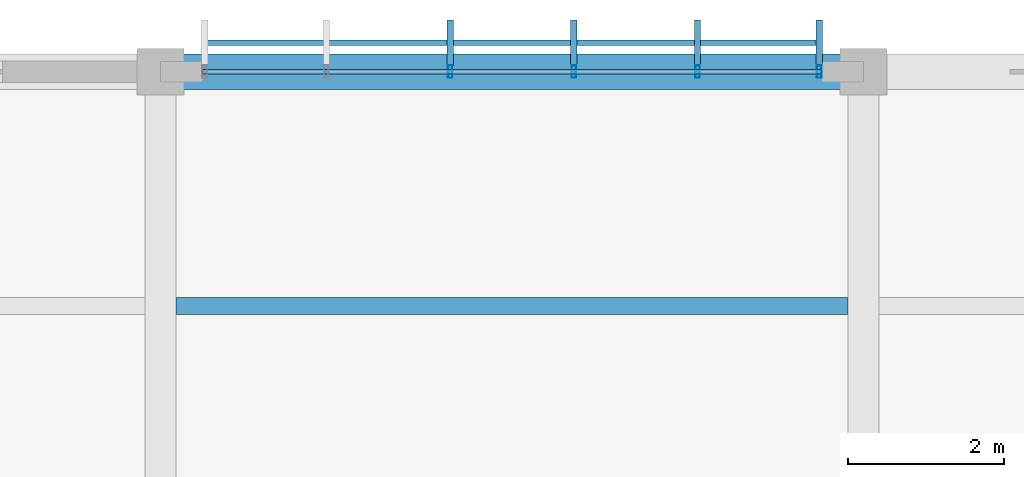
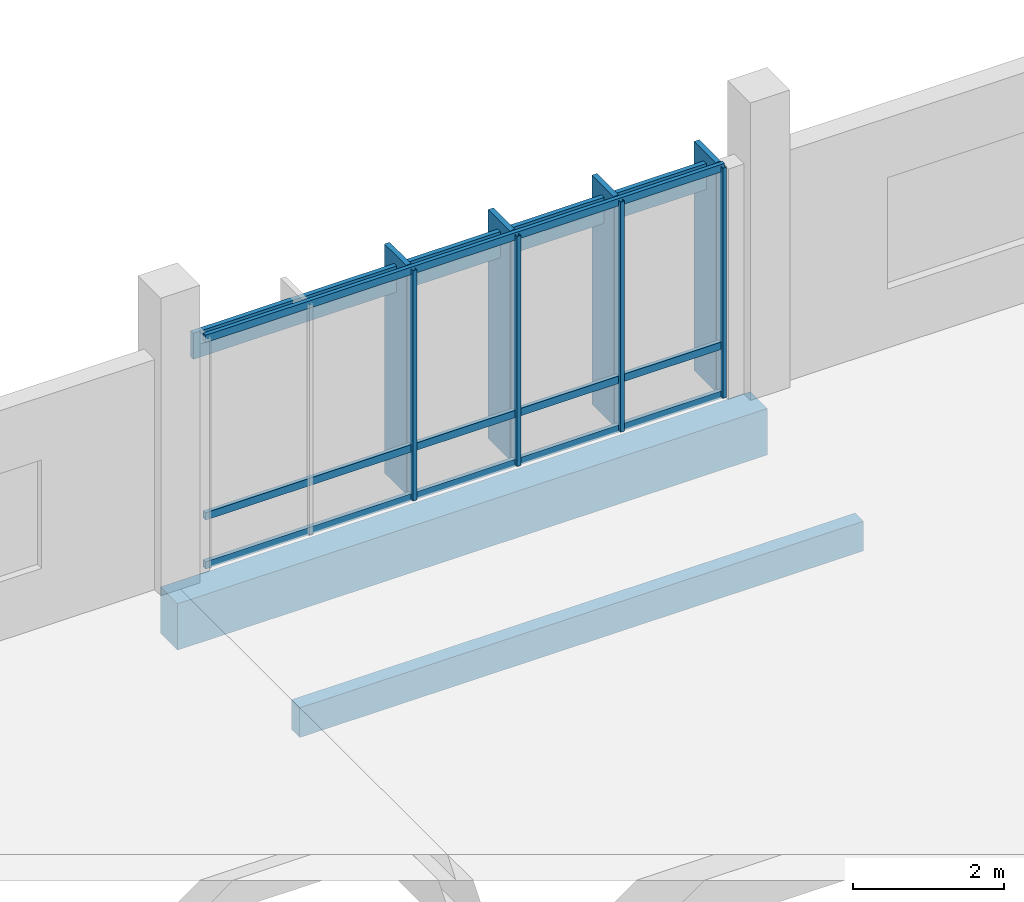
# One storey, part 125 of 177: 12 members, 2 beams, 1 element without a shape of its own.
"""IFC4 building model written with IfcOpenShell, lengths in metres."""

from ifc_helpers import new_model, si_unit, direction, frame, origin, origin_2d, place, context, subcontext, project, spatial, rectangle, hollow_rectangle, extrude, material, material_profile, profile_set, type_object, element, aggregate, save


model = new_model("IFC4")

# Units and contexts
model_context = context("Model", 3, precision=1e-05, world=origin(), true_north=direction((0.0, 1.0)))
body_context = subcontext(model_context, "Body", "Model", "MODEL_VIEW")
ifc_project = project(units=[si_unit("LENGTHUNIT", "METRE"), si_unit("AREAUNIT", "SQUARE_METRE"), si_unit("VOLUMEUNIT", "CUBIC_METRE"), si_unit("PLANEANGLEUNIT", "RADIAN"), si_unit("MASSUNIT", "GRAM", prefix="KILO")], contexts=[model_context])

# Site, building, storey
site_placement = place(None, origin())
site = spatial("IfcSite", under=ifc_project, at=site_placement, CompositionType="ELEMENT")
building_placement = place(site_placement, origin())
building = spatial("IfcBuilding", under=site, at=building_placement, Name="Chiffa Square Polytechnic", CompositionType="ELEMENT")
storey_placement = place(building_placement, frame((0.0, 0.0, 4.800048828125)))
storey = spatial("IfcBuildingStorey", under=building, at=storey_placement, Name="L01", CompositionType="ELEMENT", Elevation=4.800048828125)

# Beam
ifc_material_1 = material(Name="Concrete C35/45", Category="concrete")
ifc_material_profile_1 = material_profile(ifc_material_1, rectangle(XDim=0.449951171875, YDim=0.75, at=origin_2d()), Name="RC 450x750")
ifc_profile_set_1 = profile_set([ifc_material_profile_1], Name="Concrete C35/45")
beam_type_1 = type_object("IfcBeamType", Name="BM-RC-450X750", PredefinedType="BEAM", material=ifc_profile_set_1)
beam_1_placement = place(storey_placement, frame((84.60009765625, 130.800048828125, -0.655029296875), z_axis=(1.0, 0.0, 0.0), x_axis=(0.0, 1.0, 0.0)))
element("IfcBeam", 1, at=beam_1_placement, inside=storey, type_object=beam_type_1, Name="Primary floor girder BM-V5-L01-X-0846-1308", PredefinedType="BEAM", context=body_context, shape_type="SweptSolid", body=[
    extrude(rectangle(XDim=0.449951171875, YDim=0.75, at=origin_2d()), origin(), (0.0, 0.0, 1.0), 9.0),
])

# Curtain wall, members
ifc_material_2 = material(Name="Aluminium EN AW-6060 T66 and glulam shading", Category="wood")
curtain_wall_type = type_object("IfcCurtainWallType", Name="CW-VERT-480X380", PredefinedType="USERDEFINED", material=ifc_material_2)
curtain_wall_placement = place(storey_placement, origin())
curtain_wall = element("IfcCurtainWall", 2, at=curtain_wall_placement, inside=storey, type_object=curtain_wall_type, Name="Curtain wall CW-V5-L01-206", ObjectType="CURTAIN WALL", PredefinedType="USERDEFINED")
ifc_material_3 = material(Name="Aluminium EN AW-6060 T66", Category="aluminium")
ifc_material_profile_2 = material_profile(ifc_material_3, hollow_rectangle(XDim=0.06005859375, YDim=0.159912109375, WallThickness=0.00390625, at=origin_2d()), Name="ALU 60x160x4")
ifc_profile_set_2 = profile_set([ifc_material_profile_2], Name="Aluminium EN AW-6060 T66")
member_type_1 = type_object("IfcMemberType", Name="CWM-ALU-65X150", PredefinedType="MULLION", material=ifc_profile_set_2)
member_1_placement = place(storey_placement, frame((93.034912109375, 130.800048828125, 0.0), z_axis=(0.0, 0.0, 1.0), x_axis=(1.0, 0.0, 0.0)))
member_1 = element("IfcMember", 3, at=member_1_placement, type_object=member_type_1, Name="Curtain wall mullion CW-V5-L01-206-M00", PredefinedType="MULLION", context=body_context, shape_type="SweptSolid", body=[
    extrude(hollow_rectangle(XDim=0.06005859375, YDim=0.159912109375, WallThickness=0.00390625, at=origin_2d()), origin(), (0.0, 0.0, 1.0), 3.71484375),
])
member_2_placement = place(storey_placement, frame((91.47607421875, 130.800048828125, 0.0), z_axis=(0.0, 0.0, 1.0), x_axis=(1.0, 0.0, 0.0)))
member_2 = element("IfcMember", 4, at=member_2_placement, type_object=member_type_1, Name="Curtain wall mullion CW-V5-L01-206-M01", PredefinedType="MULLION", context=body_context, shape_type="SweptSolid", body=[
    extrude(hollow_rectangle(XDim=0.06005859375, YDim=0.159912109375, WallThickness=0.00390625, at=origin_2d()), origin(), (0.0, 0.0, 1.0), 3.71484375),
])
member_3_placement = place(storey_placement, frame((89.89208984375, 130.800048828125, 0.0), z_axis=(0.0, 0.0, 1.0), x_axis=(1.0, 0.0, 0.0)))
member_3 = element("IfcMember", 5, at=member_3_placement, type_object=member_type_1, Name="Curtain wall mullion CW-V5-L01-206-M02", PredefinedType="MULLION", context=body_context, shape_type="SweptSolid", body=[
    extrude(hollow_rectangle(XDim=0.06005859375, YDim=0.159912109375, WallThickness=0.00390625, at=origin_2d()), origin(), (0.0, 0.0, 1.0), 3.71484375),
])
member_4_placement = place(storey_placement, frame((88.30810546875, 130.800048828125, 0.0), z_axis=(0.0, 0.0, 1.0), x_axis=(1.0, 0.0, 0.0)))
member_4 = element("IfcMember", 6, at=member_4_placement, type_object=member_type_1, Name="Curtain wall mullion CW-V5-L01-206-M03", PredefinedType="MULLION", context=body_context, shape_type="SweptSolid", body=[
    extrude(hollow_rectangle(XDim=0.06005859375, YDim=0.159912109375, WallThickness=0.00390625, at=origin_2d()), origin(), (0.0, 0.0, 1.0), 3.71484375),
])
ifc_material_4 = material(Name="Glulam GL28h", Category="wood")
ifc_material_profile_3 = material_profile(ifc_material_4, rectangle(XDim=0.080078125, YDim=0.580078125, at=origin_2d()), Name="GL28h 80x580")
ifc_profile_set_3 = profile_set([ifc_material_profile_3], Name="Glulam GL28h")
member_type_2 = type_object("IfcMemberType", Name="CWM-GL-80X580", PredefinedType="MULLION", material=ifc_profile_set_3)
member_5_placement = place(storey_placement, frame((93.034912109375, 131.172119140625, 0.010009765625), z_axis=(0.0, 0.0, 1.0), x_axis=(-1.0, 0.0, 0.0)))
member_5 = element("IfcMember", 7, at=member_5_placement, type_object=member_type_2, Name="Exterior glulam solar fin CW-V5-L01-206-FN00", PredefinedType="MULLION", context=body_context, shape_type="SweptSolid", body=[
    extrude(rectangle(XDim=0.080078125, YDim=0.580078125, at=origin_2d()), origin(), (0.0, 0.0, 1.0), 3.69482421875),
])
member_6_placement = place(storey_placement, frame((91.47607421875, 131.172119140625, 0.010009765625), z_axis=(0.0, 0.0, 1.0), x_axis=(-1.0, 0.0, 0.0)))
member_6 = element("IfcMember", 8, at=member_6_placement, type_object=member_type_2, Name="Exterior glulam solar fin CW-V5-L01-206-FN01", PredefinedType="MULLION", context=body_context, shape_type="SweptSolid", body=[
    extrude(rectangle(XDim=0.080078125, YDim=0.580078125, at=origin_2d()), origin(), (0.0, 0.0, 1.0), 3.69482421875),
])
member_7_placement = place(storey_placement, frame((89.89208984375, 131.172119140625, 0.010009765625), z_axis=(0.0, 0.0, 1.0), x_axis=(-1.0, 0.0, 0.0)))
member_7 = element("IfcMember", 9, at=member_7_placement, type_object=member_type_2, Name="Exterior glulam solar fin CW-V5-L01-206-FN02", PredefinedType="MULLION", context=body_context, shape_type="SweptSolid", body=[
    extrude(rectangle(XDim=0.080078125, YDim=0.580078125, at=origin_2d()), origin(), (0.0, 0.0, 1.0), 3.69482421875),
])
member_8_placement = place(storey_placement, frame((88.30810546875, 131.172119140625, 0.010009765625), z_axis=(0.0, 0.0, 1.0), x_axis=(-1.0, 0.0, 0.0)))
member_8 = element("IfcMember", 10, at=member_8_placement, type_object=member_type_2, Name="Exterior glulam solar fin CW-V5-L01-206-FN03", PredefinedType="MULLION", context=body_context, shape_type="SweptSolid", body=[
    extrude(rectangle(XDim=0.080078125, YDim=0.580078125, at=origin_2d()), origin(), (0.0, 0.0, 1.0), 3.69482421875),
])
ifc_material_profile_4 = material_profile(ifc_material_3, hollow_rectangle(XDim=0.06005859375, YDim=0.1201171875, WallThickness=0.00390625, at=origin_2d()), Name="ALU 60x120x4")
ifc_profile_set_4 = profile_set([ifc_material_profile_4], Name="Aluminium EN AW-6060 T66")
member_type_3 = type_object("IfcMemberType", Name="CWT-ALU-65X120", PredefinedType="USERDEFINED", material=ifc_profile_set_4)
member_9_placement = place(storey_placement, frame((93.06201171875, 130.800048828125, 0.030029296875), z_axis=(-1.0, 0.0, 0.0), x_axis=(0.0, -1.0, 0.0)))
member_9 = element("IfcMember", 11, at=member_9_placement, type_object=member_type_3, Name="Curtain wall transom CW-V5-L01-206-T01", ObjectType="TRANSOM", PredefinedType="USERDEFINED", context=body_context, shape_type="SweptSolid", body=[
    extrude(hollow_rectangle(XDim=0.06005859375, YDim=0.1201171875, WallThickness=0.00390625, at=origin_2d()), origin(), (0.0, 0.0, 1.0), 7.924072265625),
])
member_10_placement = place(storey_placement, frame((93.06201171875, 130.800048828125, 0.820068359375), z_axis=(-1.0, 0.0, 0.0), x_axis=(0.0, -1.0, 0.0)))
member_10 = element("IfcMember", 12, at=member_10_placement, type_object=member_type_3, Name="Curtain wall transom CW-V5-L01-206-T02", ObjectType="TRANSOM", PredefinedType="USERDEFINED", context=body_context, shape_type="SweptSolid", body=[
    extrude(hollow_rectangle(XDim=0.06005859375, YDim=0.1201171875, WallThickness=0.00390625, at=origin_2d()), origin(), (0.0, 0.0, 1.0), 7.924072265625),
])
member_11_placement = place(storey_placement, frame((93.06201171875, 130.800048828125, 3.68505859375), z_axis=(-1.0, 0.0, 0.0), x_axis=(0.0, -1.0, 0.0)))
member_11 = element("IfcMember", 13, at=member_11_placement, type_object=member_type_3, Name="Curtain wall transom CW-V5-L01-206-T03", ObjectType="TRANSOM", PredefinedType="USERDEFINED", context=body_context, shape_type="SweptSolid", body=[
    extrude(hollow_rectangle(XDim=0.06005859375, YDim=0.1201171875, WallThickness=0.00390625, at=origin_2d()), origin(), (0.0, 0.0, 1.0), 7.924072265625),
])
ifc_material_profile_5 = material_profile(ifc_material_4, rectangle(XDim=0.070068359375, YDim=0.419921875, at=origin_2d()), Name="GL28h 70x420")
ifc_profile_set_5 = profile_set([ifc_material_profile_5], Name="Glulam GL28h")
member_type_4 = type_object("IfcMemberType", Name="CWT-GL-70X420", PredefinedType="USERDEFINED", material=ifc_profile_set_5)
member_12_placement = place(storey_placement, frame((93.034912109375, 131.172119140625, 3.3349609375), z_axis=(-1.0, 0.0, 0.0), x_axis=(0.0, -1.0, 0.0)))
member_12 = element("IfcMember", 14, at=member_12_placement, type_object=member_type_4, Name="Exterior glulam brise-soleil CW-V5-L01-206-BS01", ObjectType="TRANSOM", PredefinedType="USERDEFINED", context=body_context, shape_type="SweptSolid", body=[
    extrude(rectangle(XDim=0.070068359375, YDim=0.419921875, at=origin_2d()), origin(), (0.0, 0.0, 1.0), 7.869873046875),
])
aggregate(curtain_wall, [member_1, member_5, member_2, member_6, member_3, member_7, member_4, member_8, member_9, member_10, member_11, member_12])

# Beam
ifc_material_profile_6 = material_profile(ifc_material_4, rectangle(XDim=0.219970703125, YDim=0.47998046875, at=origin_2d()), Name="GL28h 220x480")
ifc_profile_set_6 = profile_set([ifc_material_profile_6], Name="Glulam GL28h")
beam_type_2 = type_object("IfcBeamType", Name="JST-GL-220X480", PredefinedType="JOIST", material=ifc_profile_set_6)
beam_2_placement = place(storey_placement, frame((84.798095703125, 127.800048828125, -0.52001953125), z_axis=(1.0, 0.0, 0.0), x_axis=(0.0, 1.0, 0.0)))
element("IfcBeam", 15, at=beam_2_placement, inside=storey, type_object=beam_type_2, Name="Secondary floor joist JST-V5-L01-0846-1278", PredefinedType="JOIST", context=body_context, shape_type="SweptSolid", body=[
    extrude(rectangle(XDim=0.219970703125, YDim=0.47998046875, at=origin_2d()), origin(), (0.0, 0.0, 1.0), 8.60400390625),
])

save(model, "model.ifc")
